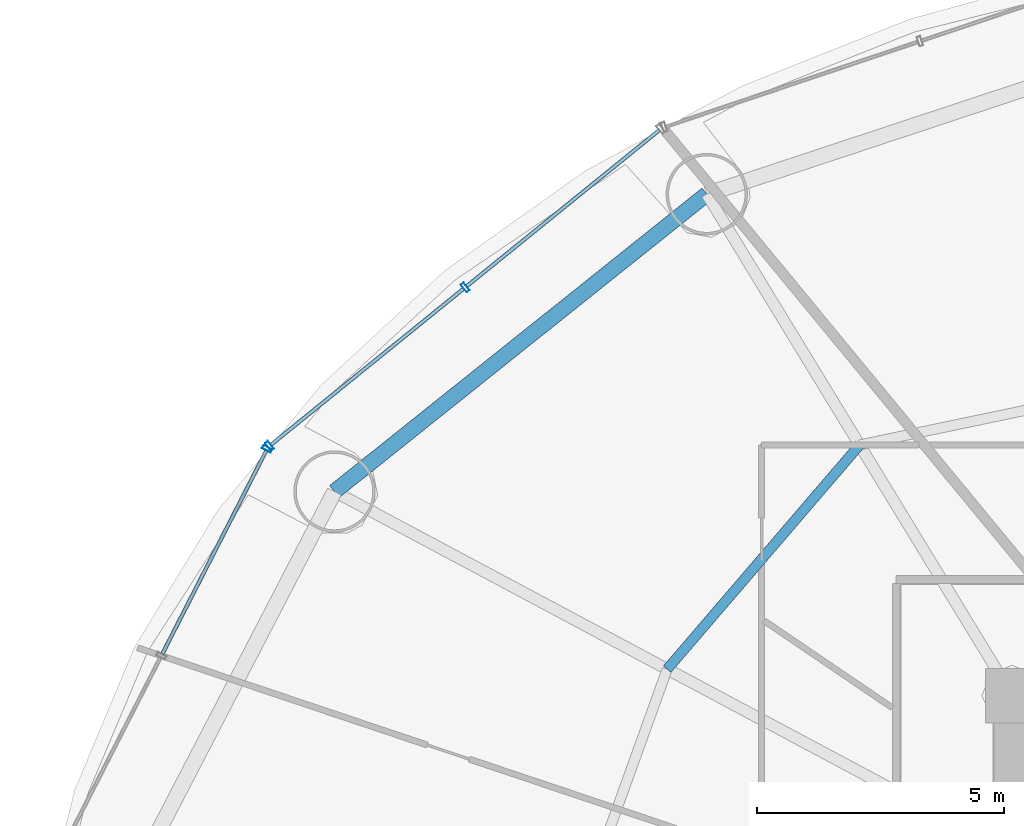
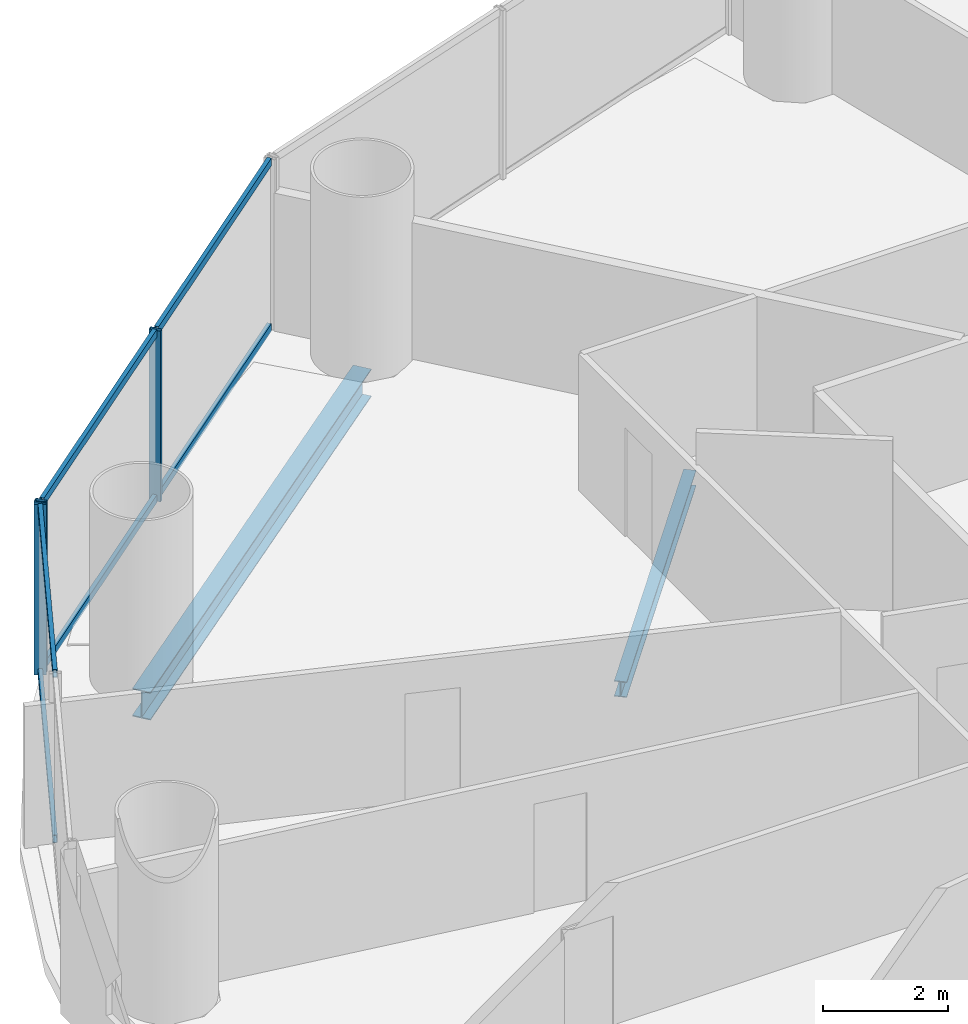
# One storey, part 13 of 28: 9 members, 2 beams, 2 elements without a shape of their own.
"""IFC4 building model written with IfcOpenShell, lengths in metres."""

from ifc_helpers import new_model, si_unit, direction, frame, origin, origin_2d, place, context, subcontext, project, spatial, hollow_rectangle, i_section, extrude, source, transform, mapped, material, material_profile, profile_set, type_object, element, aggregate, save


model = new_model("IFC4")

# Units and contexts
model_context = context("Model", 3, precision=1e-05, world=origin(), true_north=direction((-0.2419218956, 0.970295726276)))
body_context = subcontext(model_context, "Body", "Model", "MODEL_VIEW")
ifc_project = project(units=[si_unit("LENGTHUNIT", "METRE"), si_unit("AREAUNIT", "SQUARE_METRE"), si_unit("VOLUMEUNIT", "CUBIC_METRE"), si_unit("PLANEANGLEUNIT", "RADIAN"), si_unit("MASSUNIT", "GRAM", prefix="KILO")], contexts=[model_context])

# Site, building, storey
site_placement = place(None, origin())
site = spatial("IfcSite", under=ifc_project, at=site_placement, CompositionType="ELEMENT")
building_placement = place(site_placement, origin())
building = spatial("IfcBuilding", under=site, at=building_placement, Name="Cobrevalo Terracotta Tower", CompositionType="ELEMENT")
storey_placement = place(building_placement, frame((0.0, 0.0, 42.0)))
storey = spatial("IfcBuildingStorey", under=building, at=storey_placement, Name="L10", CompositionType="ELEMENT", Elevation=42.0)

# Beams
ifc_material_1 = material(Name="Steel S355", Category="steel")
ifc_material_profile_1 = material_profile(ifc_material_1, i_section(OverallWidth=0.2041015625, OverallDepth=0.305908203125, WebThickness=0.008544921875, FlangeThickness=0.0146484375, at=origin_2d()), Name="W 310x67")
ifc_profile_set_1 = profile_set([ifc_material_profile_1], Name="Steel S355")
beam_type_1 = type_object("IfcBeamType", Name="Structural Joist W 310x67 (Steel S355)", PredefinedType="JOIST", material=ifc_profile_set_1)
beam_1_placement = place(storey_placement, frame((25.902587890625, 39.8837890625, -0.43310546875), z_axis=(-0.651328404454, -0.758795960421, 0.0), x_axis=(0.758795960421, -0.651328404454, 0.0)))
element("IfcBeam", 1, at=beam_1_placement, inside=storey, type_object=beam_type_1, Name="L10 circumferential secondary floor joist 06", PredefinedType="JOIST", context=body_context, shape_type="SweptSolid", body=[
    extrude(i_section(OverallWidth=0.2041015625, OverallDepth=0.305908203125, WebThickness=0.008544921875, FlangeThickness=0.0146484375, at=origin_2d()), origin(), (0.0, 0.0, 1.0), 5.98828125),
])
ifc_material_profile_2 = material_profile(ifc_material_1, i_section(OverallWidth=0.31201171875, OverallDepth=0.54296875, WebThickness=0.0126953125, FlangeThickness=0.020263671875, at=origin_2d()), Name="W 530x150")
ifc_profile_set_2 = profile_set([ifc_material_profile_2], Name="Steel S355")
beam_type_2 = type_object("IfcBeamType", Name="Structural Spandrel W 530x150 (Steel S355)", PredefinedType="SPANDREL", material=ifc_profile_set_2)
beam_2_placement = place(storey_placement, frame((22.80517578125, 44.967529296875, -0.551513671875), z_axis=(-0.781292806807, -0.62416468182, 0.0), x_axis=(0.62416468182, -0.781292806807, 0.0)))
element("IfcBeam", 2, at=beam_2_placement, inside=storey, type_object=beam_type_2, Name="L10 perimeter ring spandrel 06", PredefinedType="SPANDREL", context=body_context, shape_type="SweptSolid", body=[
    extrude(i_section(OverallWidth=0.31201171875, OverallDepth=0.54296875, WebThickness=0.0126953125, FlangeThickness=0.020263671875, at=origin_2d()), origin(), (0.0, 0.0, 1.0), 9.658203125),
])

# Curtain wall, members
ifc_material_2 = material(Name="Anodized aluminium", Category="aluminium")
curtain_wall_type = type_object("IfcCurtainWallType", Name="Lower-tower unitised acoustic low-E curtain wall CW-U1", PredefinedType="NOTDEFINED", material=ifc_material_2)
curtain_wall_1_placement = place(storey_placement, origin())
curtain_wall_1 = element("IfcCurtainWall", 3, at=curtain_wall_1_placement, inside=storey, type_object=curtain_wall_type, Name="L10 curtain wall CW-L10-S06", PredefinedType="NOTDEFINED")
ifc_material_profile_3 = material_profile(ifc_material_2, hollow_rectangle(XDim=0.074951171875, YDim=0.199951171875, WallThickness=0.0048828125, at=origin_2d()), Name="CWM 75x200")
ifc_profile_set_3 = profile_set([ifc_material_profile_3], Name="Anodized aluminium")
member_type_1 = type_object("IfcMemberType", Name="Lower/mid tower unitised mullion 75x200", PredefinedType="MULLION", material=ifc_profile_set_3)
shared_shape_1 = source(origin(), body_context, "Body", "SweptSolid", [
    extrude(hollow_rectangle(XDim=0.074951171875, YDim=0.199951171875, WallThickness=0.0048828125, at=origin_2d()), origin(), (0.0, 0.0, 1.0), 3.320068359375),
])
member_1_placement = place(storey_placement, frame((17.90869140625, 43.076904296875, 0.0), z_axis=(0.0, 0.0, 1.0), x_axis=(-0.777003153187, -0.629496703675, 0.0)))
member_1 = element("IfcMember", 4, at=member_1_placement, type_object=member_type_1, Name="CW-L10-S06 vertical mullion 02", PredefinedType="MULLION", context=body_context, shape_type="MappedRepresentation", body=[
    mapped(shared_shape_1, transform((0.0, 0.0, 0.0), scale=1.0)),
])
member_2_placement = place(storey_placement, frame((13.943359375, 39.864501953125, 0.0), z_axis=(0.0, 0.0, 1.0), x_axis=(-0.777003153187, -0.629496703675, 0.0)))
member_2 = element("IfcMember", 5, at=member_2_placement, type_object=member_type_1, Name="CW-L10-S06 vertical mullion 03", PredefinedType="MULLION", context=body_context, shape_type="MappedRepresentation", body=[
    mapped(shared_shape_1, transform((0.0, 0.0, 0.0), scale=1.0)),
])

# Curtain wall, member
curtain_wall_2_placement = place(storey_placement, origin())
curtain_wall_2 = element("IfcCurtainWall", 6, at=curtain_wall_2_placement, inside=storey, type_object=curtain_wall_type, Name="L10 curtain wall CW-L10-S07", PredefinedType="NOTDEFINED")
member_3_placement = place(storey_placement, frame((13.89404296875, 39.8037109375, 0.0), z_axis=(0.0, 0.0, 1.0), x_axis=(-0.455234136597, -0.890371765543, 0.0)))
member_3 = element("IfcMember", 7, at=member_3_placement, type_object=member_type_1, Name="CW-L10-S07 vertical mullion 01", PredefinedType="MULLION", context=body_context, shape_type="MappedRepresentation", body=[
    mapped(shared_shape_1, transform((0.0, 0.0, 0.0), scale=1.0)),
])

# Member
ifc_material_profile_4 = material_profile(ifc_material_2, hollow_rectangle(XDim=0.074951171875, YDim=0.14990234375, WallThickness=0.00439453125, at=origin_2d()), Name="CWT 75x150")
ifc_profile_set_4 = profile_set([ifc_material_profile_4], Name="Anodized aluminium")
member_type_2 = type_object("IfcMemberType", Name="Tower unitised aluminium transom 75x150", PredefinedType="USERDEFINED", material=ifc_profile_set_4)
shared_shape_2 = source(origin(), body_context, "Body", "SweptSolid", [
    extrude(hollow_rectangle(XDim=0.074951171875, YDim=0.14990234375, WallThickness=0.00439453125, at=origin_2d()), origin(), (0.0, 0.0, 1.0), 5.0234375),
])
member_4_placement = place(storey_placement, frame((21.843017578125, 46.26416015625, 0.050048828125), z_axis=(-0.777022991593, -0.629472215857, 0.0), x_axis=(0.629472215857, -0.777022991593, 0.0)))
member_4 = element("IfcMember", 8, at=member_4_placement, type_object=member_type_2, Name="CW-L10-S06 transom B01-T1", ObjectType="TRANSOM", PredefinedType="USERDEFINED", context=body_context, shape_type="MappedRepresentation", body=[
    mapped(shared_shape_2, transform((0.0, 0.0, 0.0), scale=1.0)),
])

member_5_placement = place(storey_placement, frame((21.843017578125, 46.26416015625, 3.27001953125), z_axis=(-0.777022991593, -0.629472215857, 0.0), x_axis=(0.629472215857, -0.777022991593, 0.0)))
member_5 = element("IfcMember", 9, at=member_5_placement, type_object=member_type_2, Name="CW-L10-S06 transom B01-T2", ObjectType="TRANSOM", PredefinedType="USERDEFINED", context=body_context, shape_type="MappedRepresentation", body=[
    mapped(shared_shape_2, transform((0.0, 0.0, 0.0), scale=1.0)),
])

member_6_placement = place(storey_placement, frame((17.877685546875, 43.0517578125, 0.050048828125), z_axis=(-0.777022991593, -0.629472215857, 0.0), x_axis=(0.629472215857, -0.777022991593, 0.0)))
member_6 = element("IfcMember", 10, at=member_6_placement, type_object=member_type_2, Name="CW-L10-S06 transom B02-T1", ObjectType="TRANSOM", PredefinedType="USERDEFINED", context=body_context, shape_type="MappedRepresentation", body=[
    mapped(shared_shape_2, transform((0.0, 0.0, 0.0), scale=1.0)),
])

member_7_placement = place(storey_placement, frame((17.877685546875, 43.0517578125, 3.27001953125), z_axis=(-0.777022991593, -0.629472215857, 0.0), x_axis=(0.629472215857, -0.777022991593, 0.0)))
member_7 = element("IfcMember", 11, at=member_7_placement, type_object=member_type_2, Name="CW-L10-S06 transom B02-T2", ObjectType="TRANSOM", PredefinedType="USERDEFINED", context=body_context, shape_type="MappedRepresentation", body=[
    mapped(shared_shape_2, transform((0.0, 0.0, 0.0), scale=1.0)),
])

aggregate(curtain_wall_1, [member_1, member_2, member_4, member_5, member_6, member_7])

shared_shape_3 = source(origin(), body_context, "Body", "SweptSolid", [
    extrude(hollow_rectangle(XDim=0.074951171875, YDim=0.14990234375, WallThickness=0.00439453125, at=origin_2d()), origin(), (0.0, 0.0, 1.0), 4.63134765625),
])
member_8_placement = place(storey_placement, frame((13.8759765625, 39.76806640625, 0.050048828125), z_axis=(-0.455250376494, -0.890363462133, 0.0), x_axis=(0.890363462133, -0.455250376494, 0.0)))
member_8 = element("IfcMember", 12, at=member_8_placement, type_object=member_type_2, Name="CW-L10-S07 transom B01-T1", ObjectType="TRANSOM", PredefinedType="USERDEFINED", context=body_context, shape_type="MappedRepresentation", body=[
    mapped(shared_shape_3, transform((0.0, 0.0, 0.0), scale=1.0)),
])

member_9_placement = place(storey_placement, frame((13.8759765625, 39.76806640625, 3.27001953125), z_axis=(-0.455250376494, -0.890363462133, 0.0), x_axis=(0.890363462133, -0.455250376494, 0.0)))
member_9 = element("IfcMember", 13, at=member_9_placement, type_object=member_type_2, Name="CW-L10-S07 transom B01-T2", ObjectType="TRANSOM", PredefinedType="USERDEFINED", context=body_context, shape_type="MappedRepresentation", body=[
    mapped(shared_shape_3, transform((0.0, 0.0, 0.0), scale=1.0)),
])

aggregate(curtain_wall_2, [member_3, member_8, member_9])

save(model, "model.ifc")
